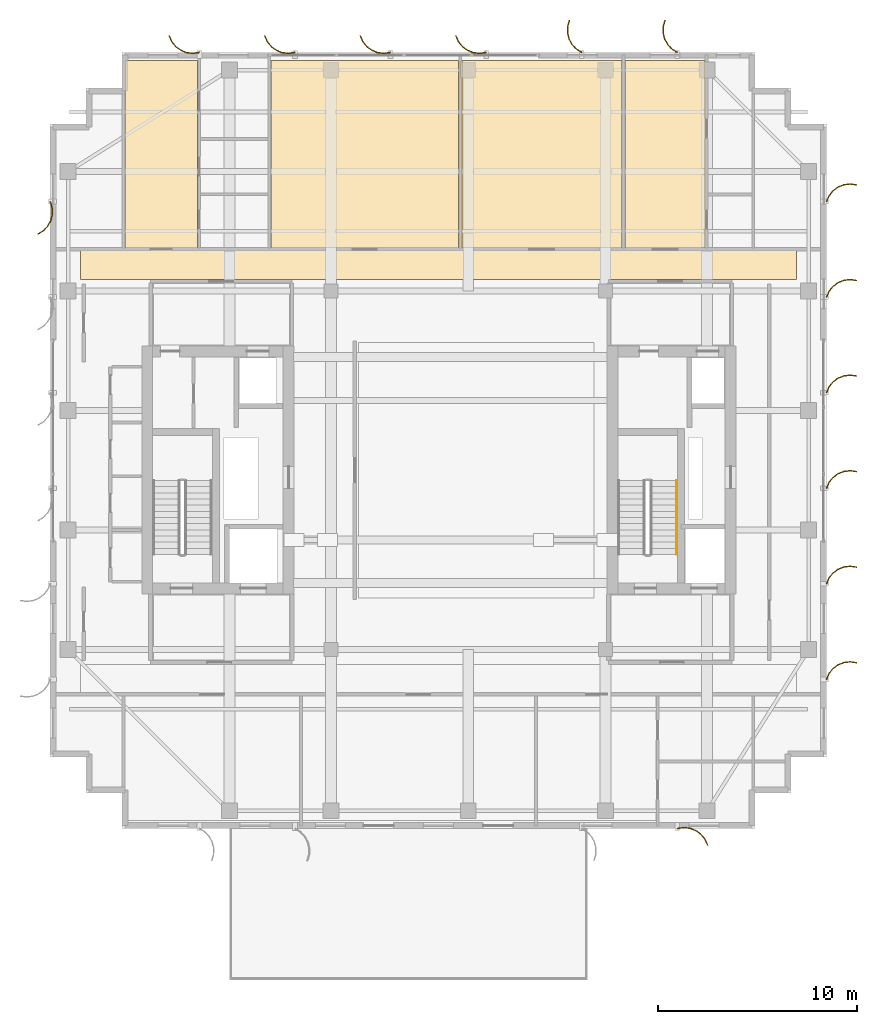
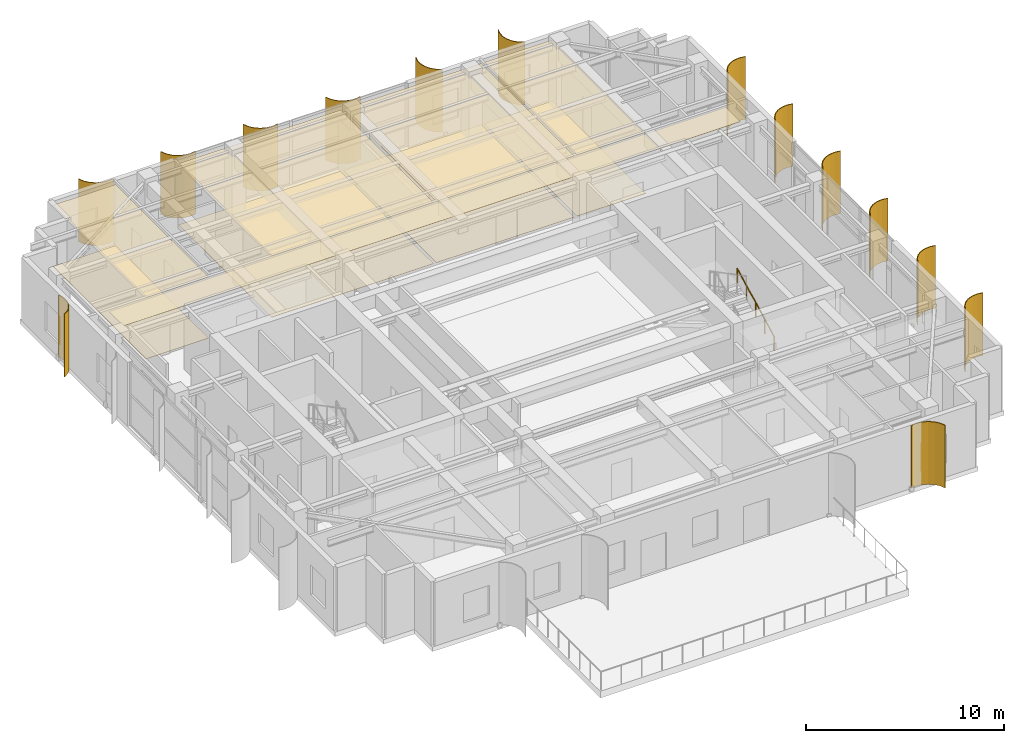
# One storey, part 19 of 19: 14 shading devices, 9 coverings, 1 railing.
"""IFC4 building model written with IfcOpenShell, lengths in metres."""

from ifc_helpers import new_model, si_unit, direction, frame, origin, origin_2d, place, context, subcontext, project, spatial, polyline, circle, outline, extrude, source, transform, mapped, material, layer, layer_set, type_object, element, save


model = new_model("IFC4")

# Units and contexts
model_context = context("Model", 3, precision=1e-05, world=origin(), true_north=direction((0.0, 1.0)))
body_context = subcontext(model_context, "Body", "Model", "MODEL_VIEW")
ifc_project = project(units=[si_unit("LENGTHUNIT", "METRE"), si_unit("AREAUNIT", "SQUARE_METRE"), si_unit("VOLUMEUNIT", "CUBIC_METRE"), si_unit("PLANEANGLEUNIT", "RADIAN"), si_unit("MASSUNIT", "GRAM", prefix="KILO")], contexts=[model_context])

# Site, building, storey
site_placement = place(None, origin())
site = spatial("IfcSite", under=ifc_project, at=site_placement, CompositionType="ELEMENT")
building_placement = place(site_placement, origin())
building = spatial("IfcBuilding", under=site, at=building_placement, Name="Khoralis Quay Care Tower", CompositionType="ELEMENT")
storey_placement = place(building_placement, frame((0.0, 0.0, 285.300048828125)))
storey = spatial("IfcBuildingStorey", under=building, at=storey_placement, Name="L75", CompositionType="ELEMENT", Elevation=285.300048828125)

# Coverings
ifc_material_1 = material(Name="Mineral-fibre acoustic ceiling tile")
ifc_layer_1 = layer(ifc_material_1, 0.01806640625)
ifc_layer_set_1 = layer_set([ifc_layer_1], Name="Mineral-fibre acoustic ceiling tile")
covering_type_1 = type_object("IfcCoveringType", Name="COV-CEIL-AC18", PredefinedType="CEILING", material=ifc_layer_set_1)
covering_1_placement = place(storey_placement, frame((0.0, 0.0, 3.77197265625)))
element("IfcCovering", 1, at=covering_1_placement, inside=storey, type_object=covering_type_1, Name="Suspended Acoustic Ceiling SP-L75-CORR-N", PredefinedType="CEILING", context=body_context, shape_type="SweptSolid", body=[
    extrude(outline(polyline([(4.52001953125, 30.590087890625), (40.47998046875, 30.590087890625), (40.47998046875, 32.06005859375), (4.52001953125, 32.06005859375), (4.52001953125, 30.590087890625)])), origin(), (0.0, 0.0, 1.0), 0.01806640625),
])
covering_2_placement = place(storey_placement, frame((0.0, 0.0, 3.77197265625)))
element("IfcCovering", 2, at=covering_2_placement, inside=storey, type_object=covering_type_1, Name="Suspended Acoustic Ceiling SP-L75-NB-LIV0", PredefinedType="CEILING", context=body_context, shape_type="SweptSolid", body=[
    extrude(outline(polyline([(6.760009765625, 32.179931640625), (10.406005859375, 32.179931640625), (10.406005859375, 41.580078125), (6.760009765625, 41.580078125), (6.760009765625, 32.179931640625)])), origin(), (0.0, 0.0, 1.0), 0.01806640625),
])
covering_3_placement = place(storey_placement, frame((0.0, 0.0, 3.77197265625)))
element("IfcCovering", 3, at=covering_3_placement, inside=storey, type_object=covering_type_1, Name="Suspended Acoustic Ceiling SP-L75-NB-COM1", PredefinedType="CEILING", context=body_context, shape_type="SweptSolid", body=[
    extrude(outline(polyline([(14.080078125, 32.179931640625), (23.52001953125, 32.179931640625), (23.52001953125, 41.580078125), (14.080078125, 41.580078125), (14.080078125, 32.179931640625)])), origin(), (0.0, 0.0, 1.0), 0.01806640625),
])
covering_4_placement = place(storey_placement, frame((0.0, 0.0, 3.77197265625)))
element("IfcCovering", 4, at=covering_4_placement, inside=storey, type_object=covering_type_1, Name="Suspended Acoustic Ceiling SP-L75-NB-COM2", PredefinedType="CEILING", context=body_context, shape_type="SweptSolid", body=[
    extrude(outline(polyline([(23.679931640625, 32.179931640625), (31.719970703125, 32.179931640625), (31.719970703125, 41.580078125), (23.679931640625, 41.580078125), (23.679931640625, 32.179931640625)])), origin(), (0.0, 0.0, 1.0), 0.01806640625),
])
covering_5_placement = place(storey_placement, frame((0.0, 0.0, 3.77197265625)))
element("IfcCovering", 5, at=covering_5_placement, inside=storey, type_object=covering_type_1, Name="Suspended Acoustic Ceiling SP-L75-NB-CARE3", PredefinedType="CEILING", context=body_context, shape_type="SweptSolid", body=[
    extrude(outline(polyline([(31.8798828125, 32.179931640625), (35.889892578125, 32.179931640625), (35.889892578125, 41.580078125), (31.8798828125, 41.580078125), (31.8798828125, 32.179931640625)])), origin(), (0.0, 0.0, 1.0), 0.01806640625),
])
ifc_material_2 = material(Name="Porcelain and non-slip vinyl flooring")
ifc_layer_2 = layer(ifc_material_2, 0.02001953125)
ifc_layer_set_2 = layer_set([ifc_layer_2], Name="Porcelain and non-slip vinyl flooring")
covering_type_2 = type_object("IfcCoveringType", Name="COV-FLOOR-20", PredefinedType="FLOORING", material=ifc_layer_set_2)
covering_6_placement = place(storey_placement, origin())
element("IfcCovering", 6, at=covering_6_placement, inside=storey, type_object=covering_type_2, Name="Resilient Healthcare Flooring SP-L75-NB-LIV0", PredefinedType="FLOORING", context=body_context, shape_type="SweptSolid", body=[
    extrude(outline(polyline([(6.760009765625, 32.179931640625), (10.406005859375, 32.179931640625), (10.406005859375, 41.580078125), (6.760009765625, 41.580078125), (6.760009765625, 32.179931640625)])), origin(), (0.0, 0.0, 1.0), 0.02001953125),
])
covering_7_placement = place(storey_placement, origin())
element("IfcCovering", 7, at=covering_7_placement, inside=storey, type_object=covering_type_2, Name="Resilient Healthcare Flooring SP-L75-NB-COM1", PredefinedType="FLOORING", context=body_context, shape_type="SweptSolid", body=[
    extrude(outline(polyline([(14.080078125, 32.179931640625), (23.52001953125, 32.179931640625), (23.52001953125, 41.580078125), (14.080078125, 41.580078125), (14.080078125, 32.179931640625)])), origin(), (0.0, 0.0, 1.0), 0.02001953125),
])
covering_8_placement = place(storey_placement, origin())
element("IfcCovering", 8, at=covering_8_placement, inside=storey, type_object=covering_type_2, Name="Resilient Healthcare Flooring SP-L75-NB-COM2", PredefinedType="FLOORING", context=body_context, shape_type="SweptSolid", body=[
    extrude(outline(polyline([(23.679931640625, 32.179931640625), (31.719970703125, 32.179931640625), (31.719970703125, 41.580078125), (23.679931640625, 41.580078125), (23.679931640625, 32.179931640625)])), origin(), (0.0, 0.0, 1.0), 0.02001953125),
])
covering_9_placement = place(storey_placement, origin())
element("IfcCovering", 9, at=covering_9_placement, inside=storey, type_object=covering_type_2, Name="Resilient Healthcare Flooring SP-L75-NB-CARE3", PredefinedType="FLOORING", context=body_context, shape_type="SweptSolid", body=[
    extrude(outline(polyline([(31.8798828125, 32.179931640625), (35.889892578125, 32.179931640625), (35.889892578125, 41.580078125), (31.8798828125, 41.580078125), (31.8798828125, 32.179931640625)])), origin(), (0.0, 0.0, 1.0), 0.02001953125),
])

# Railing
ifc_material_3 = material(Name="Brushed stainless steel", Category="steel")
railing_type = type_object("IfcRailingType", Name="RL-HAND-900", PredefinedType="HANDRAIL", material=ifc_material_3)
railing_placement = place(storey_placement, frame((34.469970703125, 16.77001953125, 0.161376953125)))
element("IfcRailing", 10, at=railing_placement, inside=storey, type_object=railing_type, Name="L75 ST-T2 stair handrail 1", PredefinedType="HANDRAIL", context=body_context, shape_type="SweptSolid", body=[
    extrude(circle(Radius=0.02392578125, at=origin_2d()), frame((0.0, 0.0, 0.8759765625), z_axis=(0.0, 0.886817194535, 0.462120399331), x_axis=(-1.0, 0.0, 0.0)), (0.0, 0.0, 1.0), 4.19482421875),
    extrude(circle(Radius=0.02099609375, at=origin_2d()), origin(), (0.0, 0.0, 1.0), 0.851806640625),
    extrude(circle(Radius=0.02099609375, at=origin_2d()), frame((0.0, 0.929931640625, 0.484619140625)), (0.0, 0.0, 1.0), 0.851806640625),
    extrude(circle(Radius=0.02099609375, at=origin_2d()), frame((0.0, 1.85986328125, 0.96923828125)), (0.0, 0.0, 1.0), 0.851806640625),
    extrude(circle(Radius=0.02099609375, at=origin_2d()), frame((0.0, 2.7900390625, 1.453857421875)), (0.0, 0.0, 1.0), 0.851806640625),
    extrude(circle(Radius=0.02099609375, at=origin_2d()), frame((0.0, 3.719970703125, 1.9384765625)), (0.0, 0.0, 1.0), 0.851806640625),
])

# Shading devices
ifc_material_4 = material(Name="Brushed pale anodised aluminium", Category="aluminium")
ifc_layer_3 = layer(ifc_material_4, 0.044921875)
ifc_layer_set_3 = layer_set([ifc_layer_3], Name="Brushed pale anodised aluminium")
shading_device_type = type_object("IfcShadingDeviceType", Name="SHD-FIN-1250", PredefinedType="USERDEFINED", material=ifc_layer_set_3)
shared_shape_1 = source(origin(), body_context, "Body", "SweptSolid", [
    extrude(outline(polyline([(0.0, 0.0), (0.17041015625, 0.2783203125), (0.4072265625, 0.5029296875), (0.694091796875, 0.658447265625), (1.01123046875, 0.734619140625), (1.33740234375, 0.72607421875), (1.650390625, 0.633544921875), (1.632080078125, 0.59228515625), (1.330322265625, 0.681640625), (1.015869140625, 0.68994140625), (0.710205078125, 0.616455078125), (0.43359375, 0.466552734375), (0.20556640625, 0.25), (0.041015625, -0.018310546875), (0.0, 0.0)])), origin(), (0.0, 0.0, 1.0), 3.85986328125),
])
for number, where, z_axis, x_axis, name in (
    (11, (34.5, 41.969970703125, 0.02001953125), (0.0, 0.0, 1.0), (0.0, 1.0, 0.0), "L75 Curved Solar Fin P1E10-01"),
    (12, (29.699951171875, 41.969970703125, 0.02001953125), (0.0, 0.0, 1.0), (0.0, 1.0, 0.0), "L75 Curved Solar Fin P1E10-02"),
):
    element("IfcShadingDevice", number, at=place(storey_placement, frame(where, z_axis=z_axis, x_axis=x_axis)), inside=storey, type_object=shading_device_type, Name=name, ObjectType="FIN", PredefinedType="USERDEFINED", context=body_context, shape_type="MappedRepresentation", body=[
        mapped(shared_shape_1, transform((0.0, 0.0, 0.0), scale=1.0)),
    ])
shared_shape_2 = source(origin(), body_context, "Body", "SweptSolid", [
    extrude(outline(polyline([(0.0, 0.0), (-0.04833984375, 0.32275390625), (-0.01123046875, 0.64697265625), (0.1083984375, 0.950439453125), (0.302490234375, 1.212890625), (0.557861328125, 1.416015625), (0.85693359375, 1.546142578125), (0.869384765625, 1.5029296875), (0.5810546875, 1.37744140625), (0.334716796875, 1.181640625), (0.147705078125, 0.9287109375), (0.032470703125, 0.635986328125), (-0.003173828125, 0.323486328125), (0.043212890625, 0.012451171875), (0.0, 0.0)])), origin(), (0.0, 0.0, 1.0), 3.85986328125),
])
for number, where, z_axis, x_axis, name in (
    (13, (34.5, 3.030029296875, 0.02001953125), (0.0, 0.0, 1.0), (0.0, -1.0, 0.0), "L75 Curved Solar Fin P1E0-06"),
    (14, (24.89990234375, 41.969970703125, 0.02001953125), (0.0, 0.0, 1.0), (0.0, 1.0, 0.0), "L75 Curved Solar Fin P1E10-03"),
    (15, (20.10009765625, 41.969970703125, 0.02001953125), (0.0, 0.0, 1.0), (0.0, 1.0, 0.0), "L75 Curved Solar Fin P1E10-04"),
    (16, (15.300048828125, 41.969970703125, 0.02001953125), (0.0, 0.0, 1.0), (0.0, 1.0, 0.0), "L75 Curved Solar Fin P1E10-05"),
    (17, (10.5, 41.969970703125, 0.02001953125), (0.0, 0.0, 1.0), (0.0, 1.0, 0.0), "L75 Curved Solar Fin P1E10-06"),
):
    element("IfcShadingDevice", number, at=place(storey_placement, frame(where, z_axis=z_axis, x_axis=x_axis)), inside=storey, type_object=shading_device_type, Name=name, ObjectType="FIN", PredefinedType="USERDEFINED", context=body_context, shape_type="MappedRepresentation", body=[
        mapped(shared_shape_2, transform((0.0, 0.0, 0.0), scale=1.0)),
    ])
shared_shape_3 = source(origin(), body_context, "Body", "SweptSolid", [
    extrude(outline(polyline([(0.0, 0.0), (0.130126953125, 0.29931640625), (0.333251953125, 0.5546875), (0.595458984375, 0.748779296875), (0.899169921875, 0.868408203125), (1.223388671875, 0.9052734375), (1.546142578125, 0.85693359375), (1.53369140625, 0.813720703125), (1.22265625, 0.8603515625), (0.91015625, 0.82470703125), (0.617431640625, 0.70947265625), (0.364501953125, 0.522216796875), (0.168701171875, 0.276123046875), (0.043212890625, -0.012451171875), (0.0, 0.0)])), origin(), (0.0, 0.0, 1.0), 3.85986328125),
])
for number, where, z_axis, x_axis, name in (
    (18, (41.969970703125, 10.5, 0.02001953125), (0.0, 0.0, 1.0), (1.0, 0.0, 0.0), "L75 Curved Solar Fin P1E5-01"),
    (19, (41.969970703125, 15.300048828125, 0.02001953125), (0.0, 0.0, 1.0), (1.0, 0.0, 0.0), "L75 Curved Solar Fin P1E5-02"),
    (20, (41.969970703125, 20.10009765625, 0.02001953125), (0.0, 0.0, 1.0), (1.0, 0.0, 0.0), "L75 Curved Solar Fin P1E5-03"),
    (21, (41.969970703125, 24.89990234375, 0.02001953125), (0.0, 0.0, 1.0), (1.0, 0.0, 0.0), "L75 Curved Solar Fin P1E5-04"),
    (22, (41.969970703125, 29.699951171875, 0.02001953125), (0.0, 0.0, 1.0), (1.0, 0.0, 0.0), "L75 Curved Solar Fin P1E5-05"),
    (23, (41.969970703125, 34.5, 0.02001953125), (0.0, 0.0, 1.0), (1.0, 0.0, 0.0), "L75 Curved Solar Fin P1E5-06"),
):
    element("IfcShadingDevice", number, at=place(storey_placement, frame(where, z_axis=z_axis, x_axis=x_axis)), inside=storey, type_object=shading_device_type, Name=name, ObjectType="FIN", PredefinedType="USERDEFINED", context=body_context, shape_type="MappedRepresentation", body=[
        mapped(shared_shape_3, transform((0.0, 0.0, 0.0), scale=1.0)),
    ])
shared_shape_4 = source(origin(), body_context, "Body", "SweptSolid", [
    extrude(outline(polyline([(0.0, 0.0), (-0.0927734375, 0.31298828125), (-0.101318359375, 0.63916015625), (-0.025146484375, 0.956298828125), (0.130615234375, 1.2431640625), (0.355224609375, 1.479736328125), (0.633544921875, 1.650390625), (0.65185546875, 1.609130859375), (0.383544921875, 1.44482421875), (0.1669921875, 1.216796875), (0.01708984375, 0.940185546875), (-0.056396484375, 0.63427734375), (-0.04833984375, 0.31982421875), (0.041015625, 0.018310546875), (0.0, 0.0)])), origin(), (0.0, 0.0, 1.0), 3.85986328125),
])
shading_device_placement = place(storey_placement, frame((3.030029296875, 34.5, 0.02001953125), z_axis=(0.0, 0.0, 1.0), x_axis=(-1.0, 0.0, 0.0)))
element("IfcShadingDevice", 24, at=shading_device_placement, inside=storey, type_object=shading_device_type, Name="L75 Curved Solar Fin P1E15-01", ObjectType="FIN", PredefinedType="USERDEFINED", context=body_context, shape_type="MappedRepresentation", body=[
    mapped(shared_shape_4, transform((0.0, 0.0, 0.0), scale=1.0)),
])

save(model, "model.ifc")
